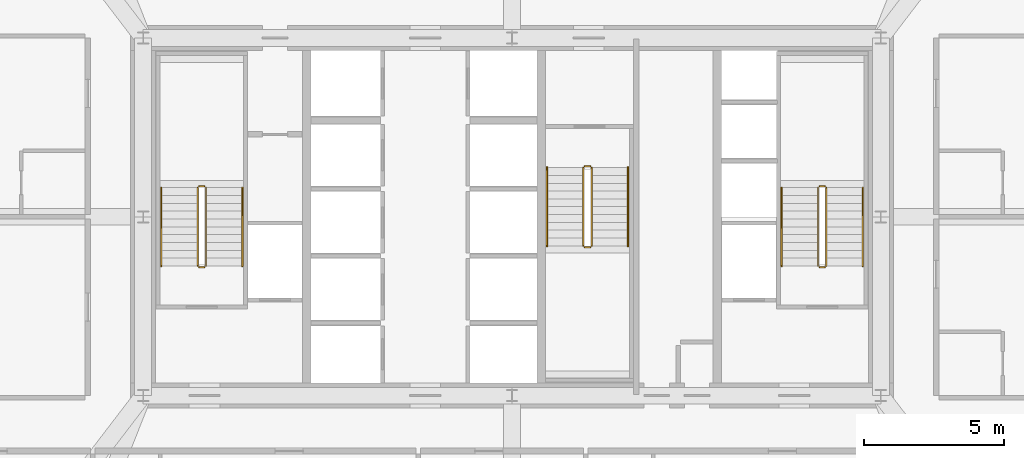
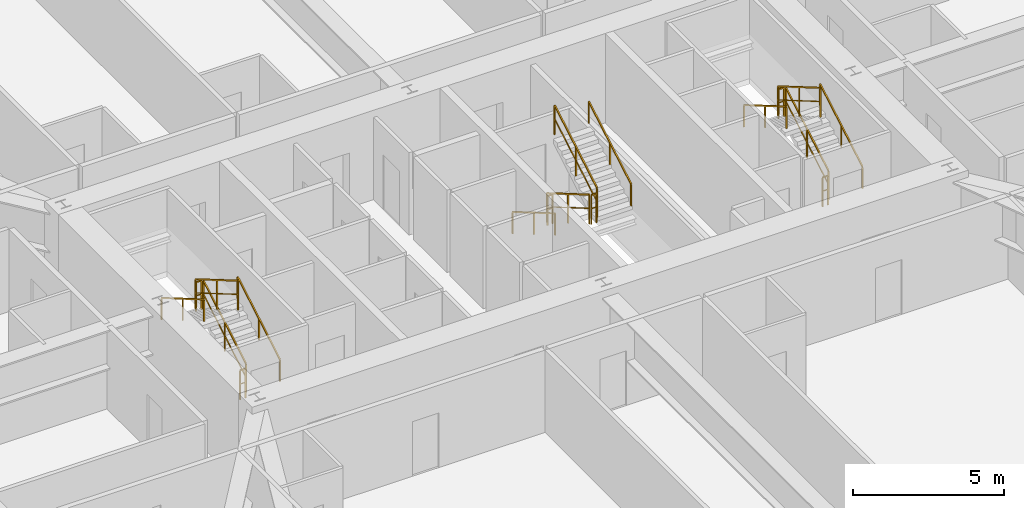
# One storey, part 44 of 44: 18 railings.
"""IFC4 building model written with IfcOpenShell, lengths in metres."""

from ifc_helpers import new_model, si_unit, direction, frame, origin, origin_2d, place, context, subcontext, project, spatial, rectangle, extrude, source, transform, mapped, material, layer, layer_set, type_object, element, save


model = new_model("IFC4")

# Units and contexts
model_context = context("Model", 3, precision=1e-05, world=origin(), true_north=direction((0.0, 1.0)))
body_context = subcontext(model_context, "Body", "Model", "MODEL_VIEW")
ifc_project = project(units=[si_unit("LENGTHUNIT", "METRE"), si_unit("AREAUNIT", "SQUARE_METRE"), si_unit("VOLUMEUNIT", "CUBIC_METRE"), si_unit("PLANEANGLEUNIT", "RADIAN"), si_unit("MASSUNIT", "GRAM", prefix="KILO"), si_unit("THERMODYNAMICTEMPERATUREUNIT", "KELVIN"), si_unit("POWERUNIT", "WATT")], contexts=[model_context])

# Site, building, storey
site_placement = place(None, origin())
site = spatial("IfcSite", under=ifc_project, at=site_placement, CompositionType="ELEMENT")
building_placement = place(site_placement, origin())
building = spatial("IfcBuilding", under=site, at=building_placement, Name="Yuzanri Waterfront Tower", CompositionType="ELEMENT")
storey_placement = place(building_placement, frame((0.0, 0.0, 82.0)))
storey = spatial("IfcBuildingStorey", under=building, at=storey_placement, Name="L21", CompositionType="ELEMENT", Elevation=82.0)

# Railings
ifc_material_1 = material(Name="Painted Galvanized Fire Steel", Category="steel")
ifc_layer_1 = layer(ifc_material_1, 0.06005859375)
ifc_layer_set_1 = layer_set([ifc_layer_1], Name="Painted Galvanized Fire Steel")
railing_type_1 = type_object("IfcRailingType", Name="Painted Steel Stairwell Guardrail 1120", PredefinedType="GUARDRAIL", material=ifc_layer_set_1)
shared_shape_1 = source(origin(), body_context, "Body", "SweptSolid", [
    extrude(rectangle(XDim=0.050048828125, YDim=0.050048828125, at=origin_2d()), frame((0.0, 0.0, 1.1748046875), z_axis=(-1.0, 0.0, 0.0), x_axis=(0.0, -1.0, 0.0)), (0.0, 0.0, 1.0), 0.199951171875),
    extrude(rectangle(XDim=0.035888671875, YDim=0.030029296875, at=origin_2d()), frame((0.0, 0.0, 0.6240234375), z_axis=(-1.0, 0.0, 0.0), x_axis=(0.0, -1.0, 0.0)), (0.0, 0.0, 1.0), 0.199951171875),
    extrude(rectangle(XDim=0.0458984375, YDim=0.0458984375, at=origin_2d()), origin(), (0.0, 0.0, 1.0), 1.14990234375),
    extrude(rectangle(XDim=0.0458984375, YDim=0.0458984375, at=origin_2d()), frame((-0.199951171875, 0.0, 0.0)), (0.0, 0.0, 1.0), 1.14990234375),
])
for number, where, name in (
    (1, (26.0, 26.889892578125, 1.800048828125), "L21 ST-01 stair guard 2"),
    (2, (26.0, 23.989990234375, 0.0), "L21 ST-01 stair guard 4"),
    (3, (48.199951171875, 26.889892578125, 1.800048828125), "L21 ST-02 stair guard 2"),
    (4, (48.199951171875, 23.989990234375, 0.0), "L21 ST-02 stair guard 4"),
):
    element("IfcRailing", number, at=place(storey_placement, frame(where)), inside=storey, type_object=railing_type_1, Name=name, PredefinedType="GUARDRAIL", context=body_context, shape_type="MappedRepresentation", body=[
        mapped(shared_shape_1, transform((0.0, 0.0, 0.0), scale=1.0)),
    ])
shared_shape_2 = source(origin(), body_context, "Body", "SweptSolid", [
    extrude(rectangle(XDim=0.050048828125, YDim=0.050048828125, at=origin_2d()), frame((0.0, 0.0, 1.1748046875), z_axis=(0.0, 0.863360870873, 0.504586966384), x_axis=(-1.0, 0.0, 0.0)), (0.0, 0.0, 1.0), 3.2431640625),
    extrude(rectangle(XDim=0.035888671875, YDim=0.030029296875, at=origin_2d()), frame((0.0, 0.0, 0.6240234375), z_axis=(0.0, 0.863360870873, 0.504586966384), x_axis=(-1.0, 0.0, 0.0)), (0.0, 0.0, 1.0), 3.2431640625),
    extrude(rectangle(XDim=0.0458984375, YDim=0.0458984375, at=origin_2d()), origin(), (0.0, 0.0, 1.0), 1.14990234375),
    extrude(rectangle(XDim=0.0458984375, YDim=0.0458984375, at=origin_2d()), frame((0.0, 1.39990234375, 0.818359375)), (0.0, 0.0, 1.0), 1.14990234375),
    extrude(rectangle(XDim=0.0458984375, YDim=0.0458984375, at=origin_2d()), frame((0.0, 2.800048828125, 1.636474609375)), (0.0, 0.0, 1.0), 1.14990234375),
])
for number, where, name in (
    (5, (26.050048828125, 24.0400390625, 0.16357421875), "L21 ST-01 stair guard 1"),
    (6, (48.25, 24.0400390625, 0.16357421875), "L21 ST-02 stair guard 1"),
    (7, (39.85009765625, 24.760009765625, 1.963623046875), "L21 ST-03 stair guard 3"),
):
    element("IfcRailing", number, at=place(storey_placement, frame(where)), inside=storey, type_object=railing_type_1, Name=name, PredefinedType="GUARDRAIL", context=body_context, shape_type="MappedRepresentation", body=[
        mapped(shared_shape_2, transform((0.0, 0.0, 0.0), scale=1.0)),
    ])
shared_shape_3 = source(origin(), body_context, "Body", "SweptSolid", [
    extrude(rectangle(XDim=0.050048828125, YDim=0.050048828125, at=origin_2d()), frame((0.0, 0.0, 1.1748046875), z_axis=(0.0, -0.863360870873, 0.504586966384), x_axis=(1.0, 0.0, 0.0)), (0.0, 0.0, 1.0), 3.2431640625),
    extrude(rectangle(XDim=0.035888671875, YDim=0.030029296875, at=origin_2d()), frame((0.0, 0.0, 0.6240234375), z_axis=(0.0, -0.863360870873, 0.504586966384), x_axis=(1.0, 0.0, 0.0)), (0.0, 0.0, 1.0), 3.2431640625),
    extrude(rectangle(XDim=0.0458984375, YDim=0.0458984375, at=origin_2d()), origin(), (0.0, 0.0, 1.0), 1.14990234375),
    extrude(rectangle(XDim=0.0458984375, YDim=0.0458984375, at=origin_2d()), frame((0.0, -1.39990234375, 0.818359375)), (0.0, 0.0, 1.0), 1.14990234375),
    extrude(rectangle(XDim=0.0458984375, YDim=0.0458984375, at=origin_2d()), frame((0.0, -2.800048828125, 1.636474609375)), (0.0, 0.0, 1.0), 1.14990234375),
])
for number, where, name in (
    (8, (25.75, 26.840087890625, 1.963623046875), "L21 ST-01 stair guard 3"),
    (9, (47.949951171875, 26.840087890625, 1.963623046875), "L21 ST-02 stair guard 3"),
    (10, (39.550048828125, 27.56005859375, 0.16357421875), "L21 ST-03 stair guard 1"),
):
    element("IfcRailing", number, at=place(storey_placement, frame(where)), inside=storey, type_object=railing_type_1, Name=name, PredefinedType="GUARDRAIL", context=body_context, shape_type="MappedRepresentation", body=[
        mapped(shared_shape_3, transform((0.0, 0.0, 0.0), scale=1.0)),
    ])
ifc_material_2 = material(Name="Anodized Architectural Bronze", Category="metal")
ifc_layer_2 = layer(ifc_material_2, 0.050048828125)
ifc_layer_set_2 = layer_set([ifc_layer_2], Name="Anodized Architectural Bronze")
railing_type_2 = type_object("IfcRailingType", Name="Brushed Bronze Stair Pitch Handrail 920", PredefinedType="HANDRAIL", material=ifc_layer_set_2)
shared_shape_4 = source(origin(), body_context, "Body", "SweptSolid", [
    extrude(rectangle(XDim=0.050048828125, YDim=0.050048828125, at=origin_2d()), frame((0.0, 0.0, 0.875), z_axis=(0.0, 0.863360870873, 0.504586966384), x_axis=(-1.0, 0.0, 0.0)), (0.0, 0.0, 1.0), 3.2431640625),
    extrude(rectangle(XDim=0.0458984375, YDim=0.0458984375, at=origin_2d()), origin(), (0.0, 0.0, 1.0), 0.849853515625),
    extrude(rectangle(XDim=0.0458984375, YDim=0.0458984375, at=origin_2d()), frame((0.0, 1.39990234375, 0.818359375)), (0.0, 0.0, 1.0), 0.849853515625),
    extrude(rectangle(XDim=0.0458984375, YDim=0.0458984375, at=origin_2d()), frame((0.0, 2.800048828125, 1.636474609375)), (0.0, 0.0, 1.0), 0.849853515625),
])
for number, where, name in (
    (11, (27.35009765625, 24.0400390625, 0.16357421875), "L21 ST-01 stair handrail 1"),
    (12, (49.550048828125, 24.0400390625, 0.16357421875), "L21 ST-02 stair handrail 1"),
    (13, (41.14990234375, 24.760009765625, 1.963623046875), "L21 ST-03 stair handrail 2"),
):
    element("IfcRailing", number, at=place(storey_placement, frame(where)), inside=storey, type_object=railing_type_2, Name=name, PredefinedType="HANDRAIL", context=body_context, shape_type="MappedRepresentation", body=[
        mapped(shared_shape_4, transform((0.0, 0.0, 0.0), scale=1.0)),
    ])
shared_shape_5 = source(origin(), body_context, "Body", "SweptSolid", [
    extrude(rectangle(XDim=0.050048828125, YDim=0.050048828125, at=origin_2d()), frame((0.0, 0.0, 0.875), z_axis=(0.0, -0.863360870873, 0.504586966384), x_axis=(1.0, 0.0, 0.0)), (0.0, 0.0, 1.0), 3.2431640625),
    extrude(rectangle(XDim=0.0458984375, YDim=0.0458984375, at=origin_2d()), origin(), (0.0, 0.0, 1.0), 0.849853515625),
    extrude(rectangle(XDim=0.0458984375, YDim=0.0458984375, at=origin_2d()), frame((0.0, -1.39990234375, 0.818359375)), (0.0, 0.0, 1.0), 0.849853515625),
    extrude(rectangle(XDim=0.0458984375, YDim=0.0458984375, at=origin_2d()), frame((0.0, -2.800048828125, 1.636474609375)), (0.0, 0.0, 1.0), 0.849853515625),
])
for number, where, name in (
    (14, (24.449951171875, 26.840087890625, 1.963623046875), "L21 ST-01 stair handrail 2"),
    (15, (46.64990234375, 26.840087890625, 1.963623046875), "L21 ST-02 stair handrail 2"),
    (16, (38.25, 27.56005859375, 0.16357421875), "L21 ST-03 stair handrail 1"),
):
    element("IfcRailing", number, at=place(storey_placement, frame(where)), inside=storey, type_object=railing_type_2, Name=name, PredefinedType="HANDRAIL", context=body_context, shape_type="MappedRepresentation", body=[
        mapped(shared_shape_5, transform((0.0, 0.0, 0.0), scale=1.0)),
    ])
shared_shape_6 = source(origin(), body_context, "Body", "SweptSolid", [
    extrude(rectangle(XDim=0.050048828125, YDim=0.050048828125, at=origin_2d()), frame((0.0, 0.0, 1.1748046875), z_axis=(1.0, 0.0, 0.0), x_axis=(0.0, 1.0, 0.0)), (0.0, 0.0, 1.0), 0.199951171875),
    extrude(rectangle(XDim=0.035888671875, YDim=0.030029296875, at=origin_2d()), frame((0.0, 0.0, 0.6240234375), z_axis=(1.0, 0.0, 0.0), x_axis=(0.0, 1.0, 0.0)), (0.0, 0.0, 1.0), 0.199951171875),
    extrude(rectangle(XDim=0.0458984375, YDim=0.0458984375, at=origin_2d()), origin(), (0.0, 0.0, 1.0), 1.14990234375),
    extrude(rectangle(XDim=0.0458984375, YDim=0.0458984375, at=origin_2d()), frame((0.199951171875, 0.0, 0.0)), (0.0, 0.0, 1.0), 1.14990234375),
])
for number, where, name in (
    (17, (39.60009765625, 24.7099609375, 1.800048828125), "L21 ST-03 stair guard 2"),
    (18, (39.60009765625, 27.610107421875, 0.0), "L21 ST-03 stair guard 4"),
):
    element("IfcRailing", number, at=place(storey_placement, frame(where)), inside=storey, type_object=railing_type_1, Name=name, PredefinedType="GUARDRAIL", context=body_context, shape_type="MappedRepresentation", body=[
        mapped(shared_shape_6, transform((0.0, 0.0, 0.0), scale=1.0)),
    ])

save(model, "model.ifc")
